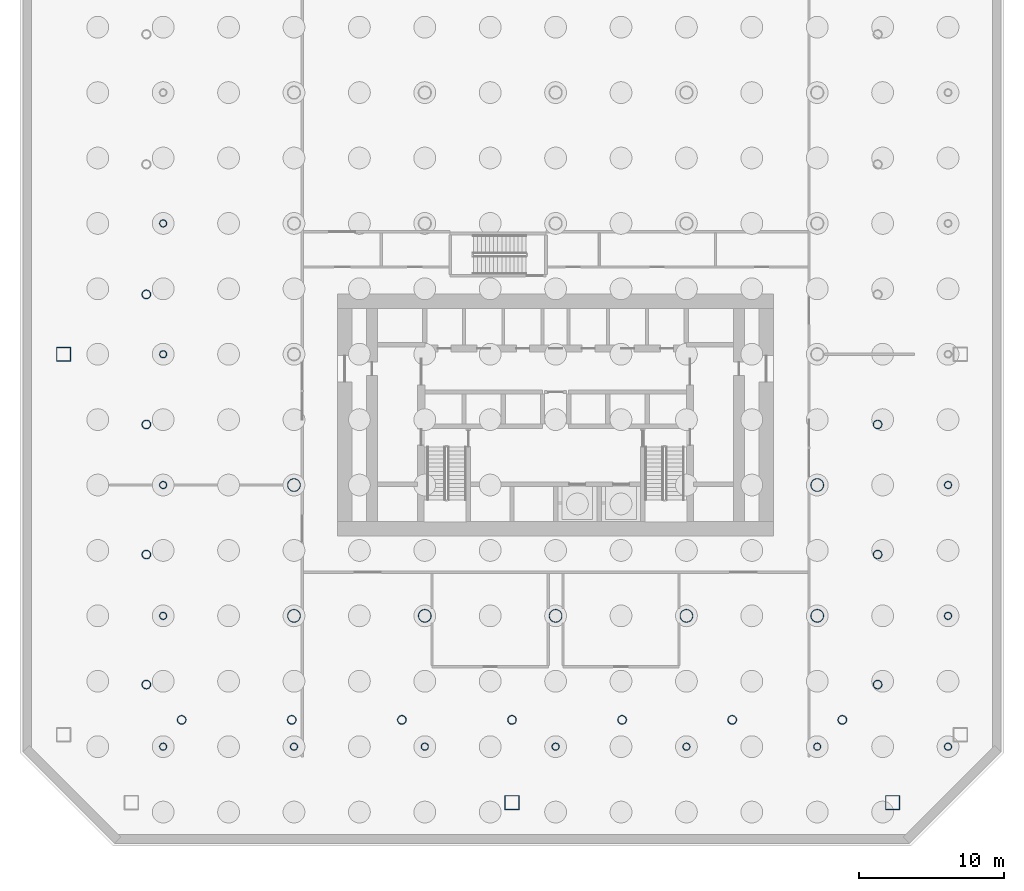
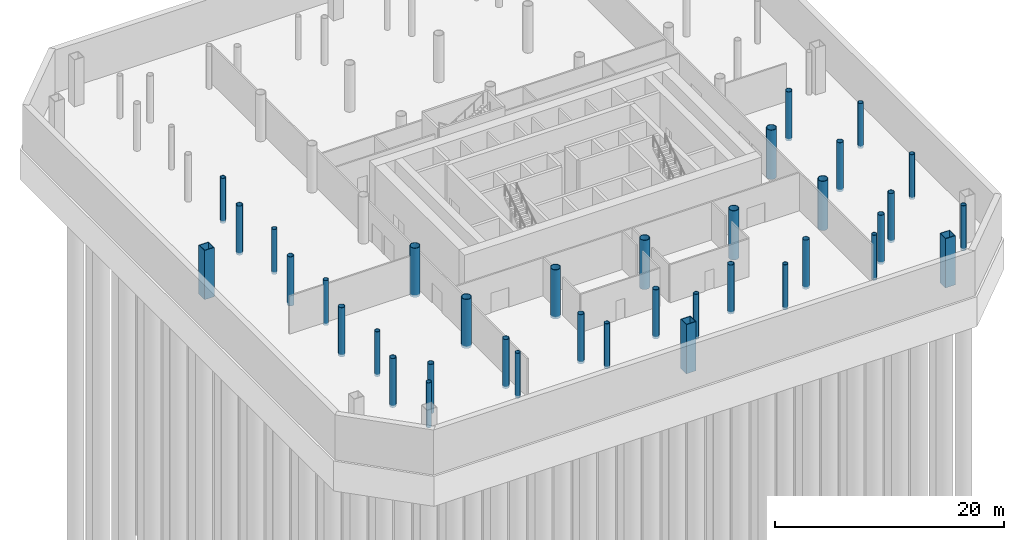
# One storey, part 2 of 10: 37 columns.
"""IFC4 building model written with IfcOpenShell, lengths in metres."""

import ifcopenshell
import ifcopenshell.guid

model = None  # the IFC model being written
_history = None  # IfcOwnerHistory: only IFC2X3 demands one
_inside = {}  # id of a spatial element -> (the spatial element, [elements in it])
_under = {}  # id of a project, library or spatial element -> (it, [spatial elements below it])
_declared = {}  # id of a project -> (the project, [libraries it declares])
_typed = {}  # id of a type object -> (the type object, [elements of that type])
_made_of = {}  # id of a material, layer set ... -> (it, [elements and type objects made of it])


def new_model(schema):
    """Start an empty IFC model of exactly this schema.

    Asked for "IFC4X3", IfcOpenShell would pick the latest addendum, in which some entities
    have other attributes; the version numbers below select the first issue.
    IFC2X3 requires an IfcOwnerHistory on every rooted entity: one is made here for all.
    """
    global model, _history
    if schema == "IFC4X3":
        model = ifcopenshell.file(schema_version=(4, 3, 0, 0))
    else:
        model = ifcopenshell.file(schema=schema)
    _inside.clear()
    _under.clear()
    _declared.clear()
    _typed.clear()
    _made_of.clear()
    _history = None
    if model.schema == "IFC2X3":
        org = make("IfcOrganization", Name="unknown")
        user = make(
            "IfcPersonAndOrganization",
            ThePerson=make("IfcPerson", FamilyName="unknown"),
            TheOrganization=org,
        )
        app = make(
            "IfcApplication",
            ApplicationDeveloper=org,
            Version="unknown",
            ApplicationFullName="unknown",
            ApplicationIdentifier="unknown",
        )
        _history = make(
            "IfcOwnerHistory",
            OwningUser=user,
            OwningApplication=app,
            ChangeAction="ADDED",
            CreationDate=0,
        )
    return model


def make(cls, **values):
    """One entity of the class cls with the attributes given. An attribute that is None is left unset."""
    return model.create_entity(
        cls, **{name: value for name, value in values.items() if value is not None}
    )


def rooted(cls, **values):
    """An entity with a GlobalId (a new one), such as an element, a storey or a relation."""
    return make(cls, GlobalId=ifcopenshell.guid.new(), OwnerHistory=_history, **values)


def si_unit(unit_type, name, prefix=None):
    """IfcSIUnit, for example si_unit("LENGTHUNIT", "METRE", prefix="MILLI")."""
    return make("IfcSIUnit", UnitType=unit_type, Prefix=prefix, Name=name)


def assignment(units):
    """IfcUnitAssignment: the units of a project."""
    return None if units is None else make("IfcUnitAssignment", Units=units)


def point(xyz):
    """IfcCartesianPoint."""
    return None if xyz is None else make("IfcCartesianPoint", Coordinates=xyz)


def direction(xyz):
    """IfcDirection."""
    return None if xyz is None else make("IfcDirection", DirectionRatios=xyz)


def frame(location, z_axis=None, x_axis=None):
    """IfcAxis2Placement3D, a coordinate frame: its origin and axes. An axis left out is left unset."""
    return make(
        "IfcAxis2Placement3D",
        Location=point(location),
        Axis=direction(z_axis),
        RefDirection=direction(x_axis),
    )


def frame_2d(location, x_axis=None):
    """IfcAxis2Placement2D, a coordinate frame in the plane: its origin and x axis."""
    return make(
        "IfcAxis2Placement2D", Location=point(location), RefDirection=direction(x_axis)
    )


def origin():
    """The frame at (0, 0, 0) with its axes left unset."""
    return frame((0.0, 0.0, 0.0))


def origin_2d():
    """The frame at (0, 0) in the plane with its x axis left unset."""
    return frame_2d((0.0, 0.0))


def place(relative_to, where):
    """IfcLocalPlacement: puts the frame where relative to a parent placement (None: the world)."""
    return make(
        "IfcLocalPlacement", PlacementRelTo=relative_to, RelativePlacement=where
    )


def context(
    kind, dimensions, precision=None, world=None, true_north=None, identifier=None
):
    """IfcGeometricRepresentationContext, for example the 3D "Model" context."""
    return make(
        "IfcGeometricRepresentationContext",
        ContextIdentifier=identifier,
        ContextType=kind,
        CoordinateSpaceDimension=dimensions,
        Precision=precision,
        WorldCoordinateSystem=world,
        TrueNorth=true_north,
    )


def subcontext(parent, identifier, kind, view, scale=None):
    """IfcGeometricRepresentationSubContext, for example "Body" below "Model"."""
    return make(
        "IfcGeometricRepresentationSubContext",
        ContextIdentifier=identifier,
        ContextType=kind,
        ParentContext=parent,
        TargetScale=scale,
        TargetView=view,
    )


def project(units=None, contexts=None):
    """IfcProject with its units and contexts."""
    return rooted(
        "IfcProject",
        Name="project",
        RepresentationContexts=contexts,
        UnitsInContext=assignment(units),
    )


def spatial(cls, under=None, at=None, **own):
    """A site, building, storey or space (cls), placed at a placement, below another one or the project."""
    s = rooted(cls, ObjectPlacement=at, **own)
    if under is not None:
        _under.setdefault(under.id(), (under, []))[1].append(s)
    return s


def profile(cls, at=None, kind="AREA", **sizes):
    """A parametric profile (cls). Its sizes go by their IFC names, for example OverallWidth=200.0."""
    return make(cls, ProfileType=kind, Position=at, **sizes)


def hollow_rectangle(**sizes):
    """IfcRectangleHollowProfileDef."""
    return profile("IfcRectangleHollowProfileDef", **sizes)


def hollow_circle(**sizes):
    """IfcCircleHollowProfileDef."""
    return profile("IfcCircleHollowProfileDef", **sizes)


def extrude(swept, where, along, depth):
    """IfcExtrudedAreaSolid: the profile swept, set in the frame where, extruded along a direction by depth."""
    return make(
        "IfcExtrudedAreaSolid",
        SweptArea=swept,
        Position=where,
        ExtrudedDirection=direction(along),
        Depth=depth,
    )


def shape(context_of_items, identifier, shape_type, items):
    """IfcShapeRepresentation: the items that make up one representation, for example the "Body"."""
    return make(
        "IfcShapeRepresentation",
        ContextOfItems=context_of_items,
        RepresentationIdentifier=identifier,
        RepresentationType=shape_type,
        Items=items,
    )


def material(Name=None, Category=None):
    """IfcMaterial."""
    return make("IfcMaterial", Name=Name, Category=Category)


def material_profile(
    of_material, cross_section, Name=None, Category=None, Priority=None
):
    """IfcMaterialProfile: a cross section and its material."""
    return make(
        "IfcMaterialProfile",
        Name=Name,
        Material=of_material,
        Profile=cross_section,
        Priority=Priority,
        Category=Category,
    )


def profile_set(profiles, Name=None, composite=None):
    """IfcMaterialProfileSet."""
    return make(
        "IfcMaterialProfileSet",
        Name=Name,
        MaterialProfiles=profiles,
        CompositeProfile=composite,
    )


def made_of(thing, what):
    """Note that an element or type object is made of a material, layer set ...; save() writes the relation."""
    if what is not None:
        _made_of.setdefault(what.id(), (what, []))[1].append(thing)
    return thing


def type_object(cls, material=None, **own):
    """A type object (cls), such as IfcWallType, which elements share."""
    return made_of(rooted(cls, **own), material)


def element(
    cls,
    number,
    at=None,
    inside=None,
    cuts=None,
    type_object=None,
    material=None,
    context=None,
    identifier="Body",
    shape_type=None,
    held_by="IfcProductDefinitionShape",
    body=None,
    shapes=None,
    **own,
):
    """One element of the class cls, such as IfcWall. Its Tag is "e" and its number.

    at: its placement. inside: the storey or other place that contains it. cuts: it is an
    opening in that element (IfcRelVoidsElement). A single representation is given by context,
    identifier, shape_type and body (its items); several are given by shapes. held_by: the class
    of the entity that holds the representations. save() writes the other relations.
    """
    e = rooted(cls, Tag="e%d" % number, ObjectPlacement=at, **own)
    if body is not None:
        shapes = [shape(context, identifier, shape_type, body)]
    if shapes is not None:
        e.Representation = make(held_by, Representations=shapes)
    if inside is not None:
        _inside.setdefault(inside.id(), (inside, []))[1].append(e)
    if cuts is not None:
        rooted(
            "IfcRelVoidsElement", RelatingBuildingElement=cuts, RelatedOpeningElement=e
        )
    if type_object is not None:
        _typed.setdefault(type_object.id(), (type_object, []))[1].append(e)
    return made_of(e, material)


def aggregate(whole, parts):
    """IfcRelAggregates: a whole, such as a stair, and the parts it consists of."""
    return rooted("IfcRelAggregates", RelatingObject=whole, RelatedObjects=parts)


def save(model, path):
    """Write the relations noted so far, then the file.

    IfcRelAggregates (storeys below a building ...), IfcRelContainedInSpatialStructure (elements
    in a storey), IfcRelDefinesByType, IfcRelAssociatesMaterial and IfcRelDeclares: one each for
    every whole, place, type object, material and project.
    """
    for whole, parts in _under.values():
        aggregate(whole, parts)
    for where, things in _inside.values():
        rooted(
            "IfcRelContainedInSpatialStructure",
            RelatedElements=things,
            RelatingStructure=where,
        )
    for kind, things in _typed.values():
        rooted("IfcRelDefinesByType", RelatedObjects=things, RelatingType=kind)
    for what, things in _made_of.values():
        rooted("IfcRelAssociatesMaterial", RelatedObjects=things, RelatingMaterial=what)
    for by, libraries in _declared.values():
        rooted("IfcRelDeclares", RelatingContext=by, RelatedDefinitions=libraries)
    model.write(path)


model = new_model("IFC4")

# Units and contexts
model_context = context("Model", 3, precision=1e-05, world=origin(), true_north=direction((0.0, 1.0)))
body_context = subcontext(model_context, "Body", "Model", "MODEL_VIEW")
ifc_project = project(units=[si_unit("LENGTHUNIT", "METRE"), si_unit("AREAUNIT", "SQUARE_METRE"), si_unit("VOLUMEUNIT", "CUBIC_METRE"), si_unit("PLANEANGLEUNIT", "RADIAN"), si_unit("MASSUNIT", "GRAM", prefix="KILO")], contexts=[model_context])

# Site, building, storey
site_placement = place(None, origin())
site = spatial("IfcSite", under=ifc_project, at=site_placement, CompositionType="ELEMENT")
building_placement = place(site_placement, origin())
building = spatial("IfcBuilding", under=site, at=building_placement, Name="Tskaro Facet Tower", CompositionType="ELEMENT")
storey_placement = place(building_placement, frame((0.0, 0.0, -5.0)))
storey = spatial("IfcBuildingStorey", under=building, at=storey_placement, Name="B1", CompositionType="ELEMENT", Elevation=-5.0)

# Columns
ifc_material_1 = material(Name="Steel S460M", Category="steel")
ifc_material_profile_1 = material_profile(ifc_material_1, hollow_rectangle(XDim=1.0, YDim=1.0, WallThickness=0.06005859375, at=origin_2d()), Name="BOX 1000x1000x60")
ifc_profile_set_1 = profile_set([ifc_material_profile_1], Name="Steel S460M")
column_type_1 = type_object("IfcColumnType", Name="BOX 1000x1000x60 mega column", PredefinedType="COLUMN", material=ifc_profile_set_1)
for number, where, z_axis, x_axis, name in (
    (1, (-3.0, -30.85009765625, -0.25), (0.0, 0.0, 1.0), (1.0, 0.0, 0.0), "BOX 1000x1000x60 MC02/G"),
    (2, (23.180908203125, -30.85009765625, -0.25), (0.0, 0.0, 1.0), (1.0, 0.0, 0.0), "BOX 1000x1000x60 MC03/G"),
    (3, (-33.85009765625, 0.0, -0.25), (0.0, 0.0, 1.0), (1.0, 0.0, 0.0), "BOX 1000x1000x60 MC11/G"),
):
    element("IfcColumn", number, at=place(storey_placement, frame(where, z_axis=z_axis, x_axis=x_axis)), inside=storey, type_object=column_type_1, Name=name, PredefinedType="COLUMN", context=body_context, shape_type="SweptSolid", body=[
        extrude(hollow_rectangle(XDim=1.0, YDim=1.0, WallThickness=0.06005859375, at=origin_2d()), origin(), (0.0, 0.0, 1.0), 5.25),
    ])
ifc_material_2 = material(Name="Steel S355J2H", Category="steel")
ifc_material_profile_2 = material_profile(ifc_material_2, hollow_circle(Radius=0.25390625, WallThickness=0.030029296875, at=origin_2d()), Name="CHS 508x30")
ifc_profile_set_2 = profile_set([ifc_material_profile_2], Name="Steel S355J2H")
column_type_2 = type_object("IfcColumnType", Name="CHS 508x30 basement column", PredefinedType="COLUMN", material=ifc_profile_set_2)
for number, where, z_axis, x_axis, name in (
    (4, (-27.0, -27.0, -0.25), (0.0, 0.0, 1.0), (1.0, 0.0, 0.0), "CHS 508x30 BC1A"),
    (5, (-27.0, -18.0, -0.25), (0.0, 0.0, 1.0), (1.0, 0.0, 0.0), "CHS 508x30 BC1B"),
    (6, (-27.0, -9.0, -0.25), (0.0, 0.0, 1.0), (1.0, 0.0, 0.0), "CHS 508x30 BC1C"),
    (7, (-27.0, 0.0, -0.25), (0.0, 0.0, 1.0), (1.0, 0.0, 0.0), "CHS 508x30 BC1D"),
    (8, (-27.0, 9.0, -0.25), (0.0, 0.0, 1.0), (1.0, 0.0, 0.0), "CHS 508x30 BC1E"),
    (9, (-18.0, -27.0, -0.25), (0.0, 0.0, 1.0), (1.0, 0.0, 0.0), "CHS 508x30 BC2A"),
    (10, (-9.0, -27.0, -0.25), (0.0, 0.0, 1.0), (1.0, 0.0, 0.0), "CHS 508x30 BC3A"),
    (11, (0.0, -27.0, -0.25), (0.0, 0.0, 1.0), (1.0, 0.0, 0.0), "CHS 508x30 BC4A"),
    (12, (9.0, -27.0, -0.25), (0.0, 0.0, 1.0), (1.0, 0.0, 0.0), "CHS 508x30 BC5A"),
    (13, (18.0, -27.0, -0.25), (0.0, 0.0, 1.0), (1.0, 0.0, 0.0), "CHS 508x30 BC6A"),
    (14, (27.0, -27.0, -0.25), (0.0, 0.0, 1.0), (1.0, 0.0, 0.0), "CHS 508x30 BC7A"),
    (15, (27.0, -18.0, -0.25), (0.0, 0.0, 1.0), (1.0, 0.0, 0.0), "CHS 508x30 BC7B"),
    (16, (27.0, -9.0, -0.25), (0.0, 0.0, 1.0), (1.0, 0.0, 0.0), "CHS 508x30 BC7C"),
):
    element("IfcColumn", number, at=place(storey_placement, frame(where, z_axis=z_axis, x_axis=x_axis)), inside=storey, type_object=column_type_2, Name=name, PredefinedType="COLUMN", context=body_context, shape_type="SweptSolid", body=[
        extrude(hollow_circle(Radius=0.25390625, WallThickness=0.030029296875, at=origin_2d()), origin(), (0.0, 0.0, 1.0), 4.800048828125),
    ])
ifc_material_profile_3 = material_profile(ifc_material_2, hollow_circle(Radius=0.304931640625, WallThickness=0.030029296875, at=origin_2d()), Name="CHS 610x30")
ifc_profile_set_3 = profile_set([ifc_material_profile_3], Name="Steel S355J2H")
column_type_3 = type_object("IfcColumnType", Name="CHS 610x30 ring column", PredefinedType="COLUMN", material=ifc_profile_set_3)
for number, where, z_axis, x_axis, name in (
    (17, (-25.72900390625, -25.156982421875, -0.25), (0.0, 0.0, 1.0), (1.0, 0.0, 0.0), "CHS 610x30 RS-1/1"),
    (18, (-18.153076171875, -25.156982421875, -0.25), (0.0, 0.0, 1.0), (1.0, 0.0, 0.0), "CHS 610x30 RS-2/1"),
    (19, (-10.575927734375, -25.156982421875, -0.25), (0.0, 0.0, 1.0), (1.0, 0.0, 0.0), "CHS 610x30 RS-3/1"),
    (20, (-3.0, -25.156982421875, -0.25), (0.0, 0.0, 1.0), (1.0, 0.0, 0.0), "CHS 610x30 RS-4/1"),
    (21, (4.575927734375, -25.156982421875, -0.25), (0.0, 0.0, 1.0), (1.0, 0.0, 0.0), "CHS 610x30 RS-5/1"),
    (22, (12.153076171875, -25.156982421875, -0.25), (0.0, 0.0, 1.0), (1.0, 0.0, 0.0), "CHS 610x30 RS-6/1"),
    (23, (19.72900390625, -25.156982421875, -0.25), (0.0, 0.0, 1.0), (1.0, 0.0, 0.0), "CHS 610x30 RSE-1/1"),
    (24, (22.156982421875, -22.72900390625, -0.25), (0.0, 0.0, 1.0), (1.0, 0.0, 0.0), "CHS 610x30 RE-1/1"),
    (25, (22.156982421875, -13.781005859375, -0.25), (0.0, 0.0, 1.0), (1.0, 0.0, 0.0), "CHS 610x30 RE-2/1"),
    (26, (22.156982421875, -4.8330078125, -0.25), (0.0, 0.0, 1.0), (1.0, 0.0, 0.0), "CHS 610x30 RE-3/1"),
    (27, (-28.156982421875, 4.115966796875, -0.25), (0.0, 0.0, 1.0), (1.0, 0.0, 0.0), "CHS 610x30 RW-3/1"),
    (28, (-28.156982421875, -4.8330078125, -0.25), (0.0, 0.0, 1.0), (1.0, 0.0, 0.0), "CHS 610x30 RW-4/1"),
    (29, (-28.156982421875, -13.781005859375, -0.25), (0.0, 0.0, 1.0), (1.0, 0.0, 0.0), "CHS 610x30 RW-5/1"),
    (30, (-28.156982421875, -22.72900390625, -0.25), (0.0, 0.0, 1.0), (1.0, 0.0, 0.0), "CHS 610x30 RSW-1/1"),
):
    element("IfcColumn", number, at=place(storey_placement, frame(where, z_axis=z_axis, x_axis=x_axis)), inside=storey, type_object=column_type_3, Name=name, PredefinedType="COLUMN", context=body_context, shape_type="SweptSolid", body=[
        extrude(hollow_circle(Radius=0.304931640625, WallThickness=0.030029296875, at=origin_2d()), origin(), (0.0, 0.0, 1.0), 5.25),
    ])
ifc_material_profile_4 = material_profile(ifc_material_2, hollow_circle(Radius=0.457275390625, WallThickness=0.050048828125, at=origin_2d()), Name="CHS 914.4x50")
ifc_profile_set_4 = profile_set([ifc_material_profile_4], Name="Steel S355J2H")
column_type_4 = type_object("IfcColumnType", Name="CHS 914.4x50 interior column", PredefinedType="COLUMN", material=ifc_profile_set_4)
for number, where, z_axis, x_axis, name in (
    (31, (-18.0, -18.0, -0.25), (0.0, 0.0, 1.0), (1.0, 0.0, 0.0), "CHS 914.4x50 C2B/1"),
    (32, (-18.0, -9.0, -0.25), (0.0, 0.0, 1.0), (1.0, 0.0, 0.0), "CHS 914.4x50 C2C/1"),
    (33, (-9.0, -18.0, -0.25), (0.0, 0.0, 1.0), (1.0, 0.0, 0.0), "CHS 914.4x50 C3B/1"),
    (34, (0.0, -18.0, -0.25), (0.0, 0.0, 1.0), (1.0, 0.0, 0.0), "CHS 914.4x50 C4B/1"),
    (35, (9.0, -18.0, -0.25), (0.0, 0.0, 1.0), (1.0, 0.0, 0.0), "CHS 914.4x50 C5B/1"),
    (36, (18.0, -18.0, -0.25), (0.0, 0.0, 1.0), (1.0, 0.0, 0.0), "CHS 914.4x50 C6B/1"),
    (37, (18.0, -9.0, -0.25), (0.0, 0.0, 1.0), (1.0, 0.0, 0.0), "CHS 914.4x50 C6C/1"),
):
    element("IfcColumn", number, at=place(storey_placement, frame(where, z_axis=z_axis, x_axis=x_axis)), inside=storey, type_object=column_type_4, Name=name, PredefinedType="COLUMN", context=body_context, shape_type="SweptSolid", body=[
        extrude(hollow_circle(Radius=0.457275390625, WallThickness=0.050048828125, at=origin_2d()), origin(), (0.0, 0.0, 1.0), 5.25),
    ])

save(model, "model.ifc")
